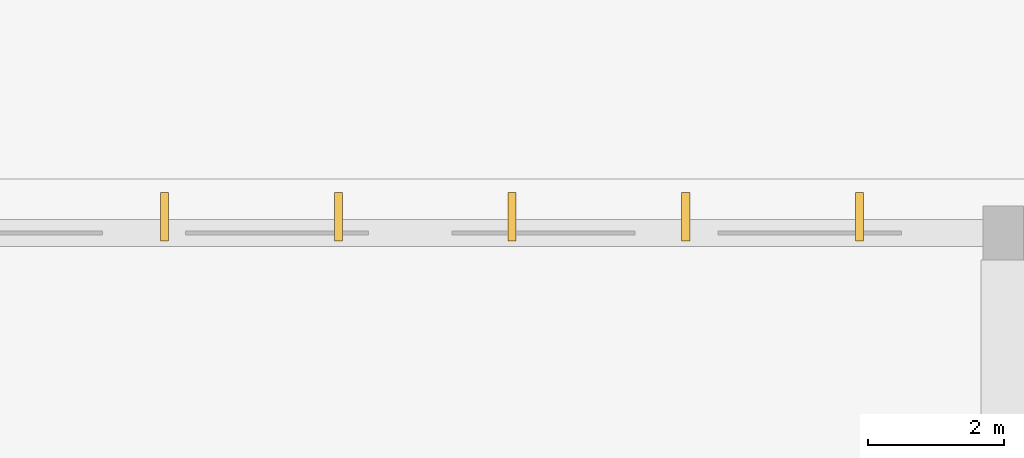
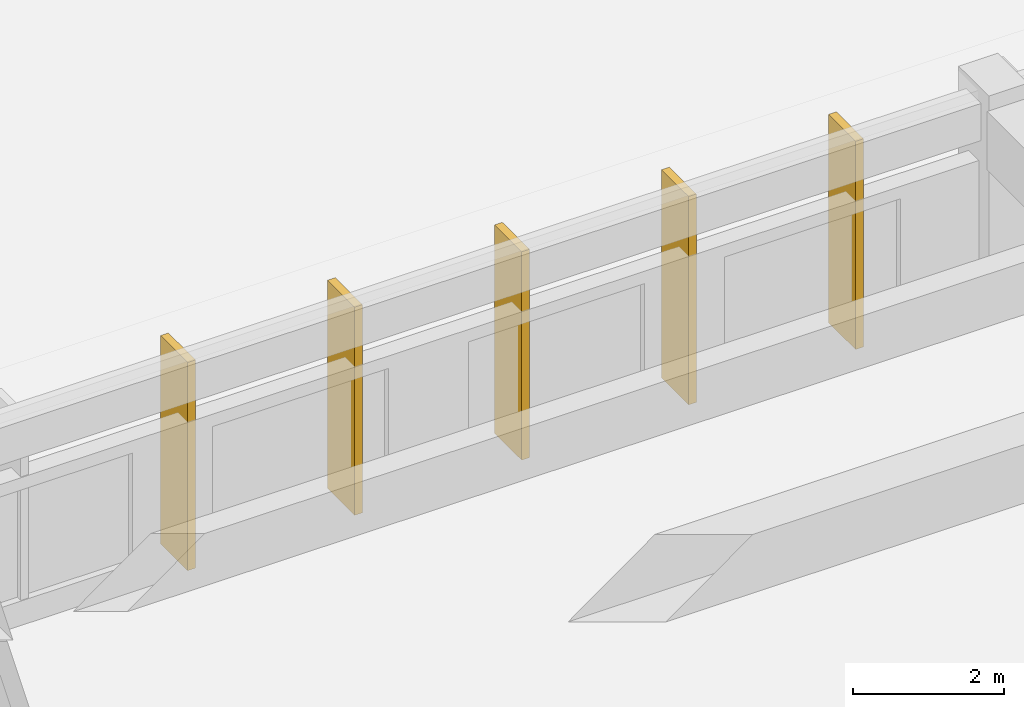
# One storey, part 144 of 155: 5 coverings.
"""IFC4 building model written with IfcOpenShell, lengths in metres."""

from ifc_helpers import new_model, si_unit, direction, frame, origin, origin_2d, place, context, subcontext, project, spatial, rectangle, extrude, material, layer, layer_set, type_object, element, save


model = new_model("IFC4")

# Units and contexts
model_context = context("Model", 3, precision=1e-05, world=origin(), true_north=direction((0.0, 1.0)))
body_context = subcontext(model_context, "Body", "Model", "MODEL_VIEW")
ifc_project = project(units=[si_unit("LENGTHUNIT", "METRE"), si_unit("AREAUNIT", "SQUARE_METRE"), si_unit("VOLUMEUNIT", "CUBIC_METRE"), si_unit("PLANEANGLEUNIT", "RADIAN"), si_unit("MASSUNIT", "GRAM", prefix="KILO")], contexts=[model_context])

# Site, building, storey
site_placement = place(None, origin())
site = spatial("IfcSite", under=ifc_project, at=site_placement, CompositionType="ELEMENT")
building_placement = place(site_placement, origin())
building = spatial("IfcBuilding", under=site, at=building_placement, Name="Larkveld Mobility Hub", CompositionType="ELEMENT")
storey_placement = place(building_placement, frame((0.0, 0.0, 8.39990234375)))
storey = spatial("IfcBuildingStorey", under=building, at=storey_placement, Name="L02", CompositionType="ELEMENT", Elevation=8.39990234375)

# Coverings
ifc_material = material(Name="Precast concrete C50/60", Category="concrete")
ifc_layer = layer(ifc_material, 0.1201171875, Name="Precast concrete C50/60", Category="concrete")
ifc_layer_set = layer_set([ifc_layer], Name="Precast concrete C50/60")
covering_type = type_object("IfcCoveringType", Name="COV-QSL-V01", PredefinedType="CLADDING", material=ifc_layer_set)
for number, where, z_axis, x_axis, name in (
    (1, (126.8798828125, 112.239990234375, -0.019287109375), (0.0, 0.0, 1.0), (-1.0, 0.0, 0.0), "Precast Quebra-Sol Vertical Fin QSV-494"),
    (2, (124.320068359375, 112.239990234375, -0.019287109375), (0.0, 0.0, 1.0), (-1.0, 0.0, 0.0), "Precast Quebra-Sol Vertical Fin QSV-495"),
    (3, (121.760009765625, 112.239990234375, -0.019287109375), (0.0, 0.0, 1.0), (-1.0, 0.0, 0.0), "Precast Quebra-Sol Vertical Fin QSV-496"),
    (4, (119.199951171875, 112.239990234375, -0.019287109375), (0.0, 0.0, 1.0), (-1.0, 0.0, 0.0), "Precast Quebra-Sol Vertical Fin QSV-497"),
    (5, (116.639892578125, 112.239990234375, -0.019287109375), (0.0, 0.0, 1.0), (-1.0, 0.0, 0.0), "Precast Quebra-Sol Vertical Fin QSV-498"),
):
    element("IfcCovering", number, at=place(storey_placement, frame(where, z_axis=z_axis, x_axis=x_axis)), inside=storey, type_object=covering_type, Name=name, PredefinedType="CLADDING", context=body_context, shape_type="SweptSolid", body=[
        extrude(rectangle(XDim=0.1201171875, YDim=0.719970703125, at=origin_2d()), origin(), (0.0, 0.0, 1.0), 3.375),
    ])

save(model, "model.ifc")
